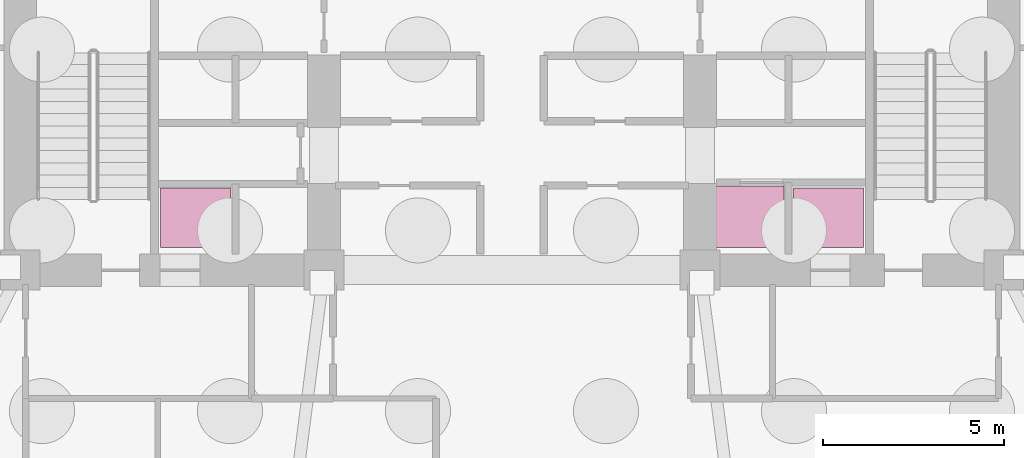
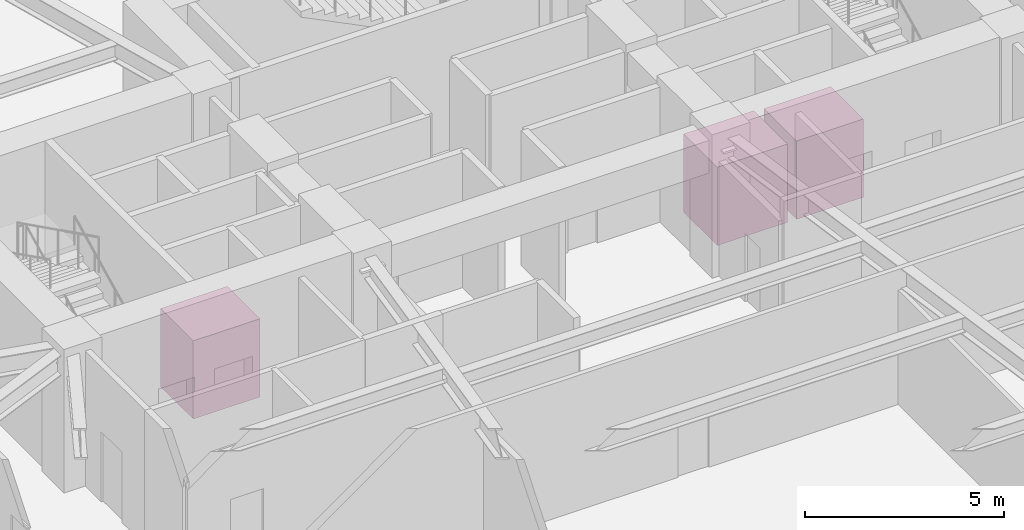
# One storey, part 7 of 7: 3 transport elements.
"""IFC4 building model written with IfcOpenShell, lengths in metres."""

from ifc_helpers import new_model, si_unit, direction, frame, origin, origin_2d, place, context, subcontext, project, spatial, rectangle, extrude, material, type_object, element, save


model = new_model("IFC4")

# Units and contexts
model_context = context("Model", 3, precision=1e-05, world=origin(), true_north=direction((0.0, 1.0)))
body_context = subcontext(model_context, "Body", "Model", "MODEL_VIEW")
ifc_project = project(units=[si_unit("LENGTHUNIT", "METRE"), si_unit("AREAUNIT", "SQUARE_METRE"), si_unit("VOLUMEUNIT", "CUBIC_METRE"), si_unit("PLANEANGLEUNIT", "RADIAN"), si_unit("MASSUNIT", "GRAM", prefix="KILO")], contexts=[model_context])

# Site, building, storey
site_placement = place(None, origin())
site = spatial("IfcSite", under=ifc_project, at=site_placement, CompositionType="ELEMENT")
building_placement = place(site_placement, origin())
building = spatial("IfcBuilding", under=site, at=building_placement, Name="Keldmark Tower", CompositionType="ELEMENT")
storey_placement = place(building_placement, frame((0.0, 0.0, -8.800048828125)))
storey = spatial("IfcBuildingStorey", under=building, at=storey_placement, Name="B02", CompositionType="ELEMENT", Elevation=-8.800048828125)

# Transport elements
ifc_material_1 = material(Name="Brushed Architectural Metal Cab Assembly", Category="metal")
transport_element_type_1 = type_object("IfcTransportElementType", Name="Fire Service Access Elevator 1800 kg", PredefinedType="ELEVATOR", material=ifc_material_1)
for number, where, z_axis, x_axis, name in (
    (1, (-8.75, 2.85009765625, 0.0), (0.0, 0.0, 1.0), (1.0, 0.0, 0.0), "Lift EL-FS1"),
    (2, (8.75, 2.85009765625, 0.0), (0.0, 0.0, 1.0), (1.0, 0.0, 0.0), "Lift EL-FS2"),
):
    element("IfcTransportElement", number, at=place(storey_placement, frame(where, z_axis=z_axis, x_axis=x_axis)), inside=storey, type_object=transport_element_type_1, Name=name, PredefinedType="ELEVATOR", context=body_context, shape_type="SweptSolid", body=[
        extrude(rectangle(XDim=1.93994140625, YDim=1.639892578125, at=origin_2d()), origin(), (0.0, 0.0, 1.0), 2.39990234375),
    ])
ifc_material_2 = material(Name="Brushed Architectural Metal Cab Assembly", Category="metal")
transport_element_type_2 = type_object("IfcTransportElementType", Name="Service and Stretcher Elevator 2500 kg", PredefinedType="ELEVATOR", material=ifc_material_2)
transport_element_placement = place(storey_placement, frame((6.5, 2.875, 0.0), z_axis=(0.0, 0.0, 1.0), x_axis=(1.0, 0.0, 0.0)))
element("IfcTransportElement", 3, at=transport_element_placement, inside=storey, type_object=transport_element_type_2, Name="Lift EL-SV1", PredefinedType="ELEVATOR", context=body_context, shape_type="SweptSolid", body=[
    extrude(rectangle(XDim=2.0400390625, YDim=1.68994140625, at=origin_2d()), origin(), (0.0, 0.0, 1.0), 2.39990234375),
])

save(model, "model.ifc")
